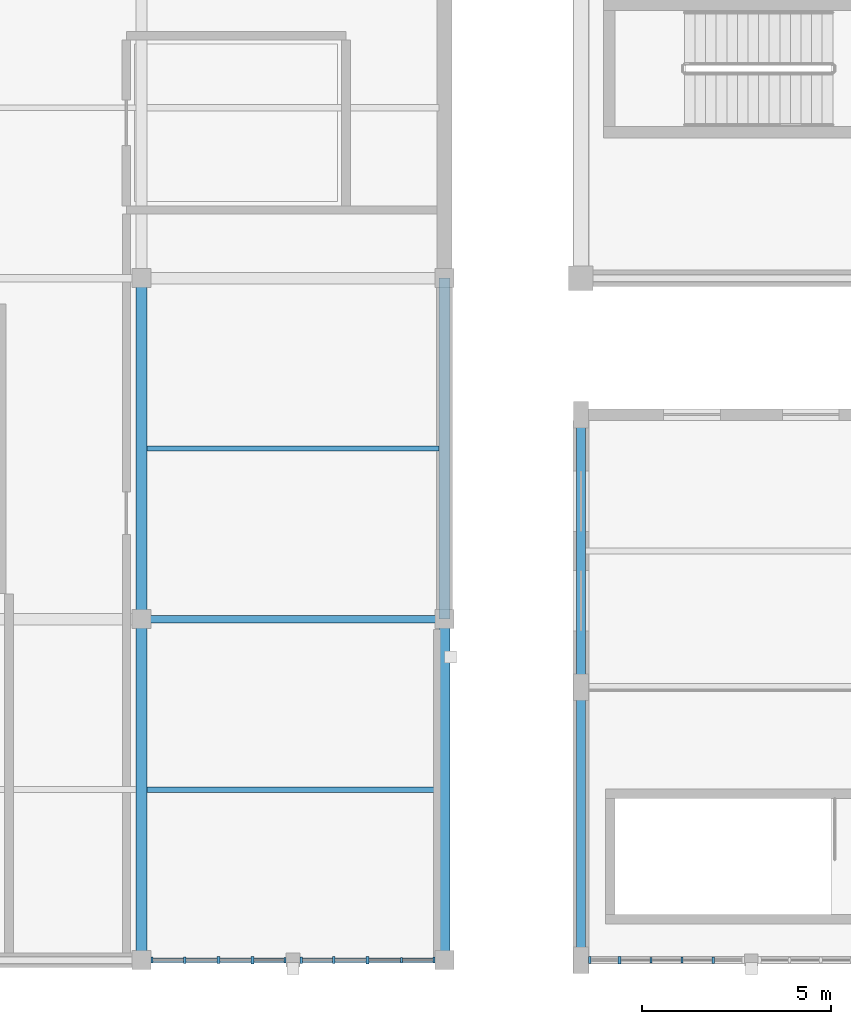
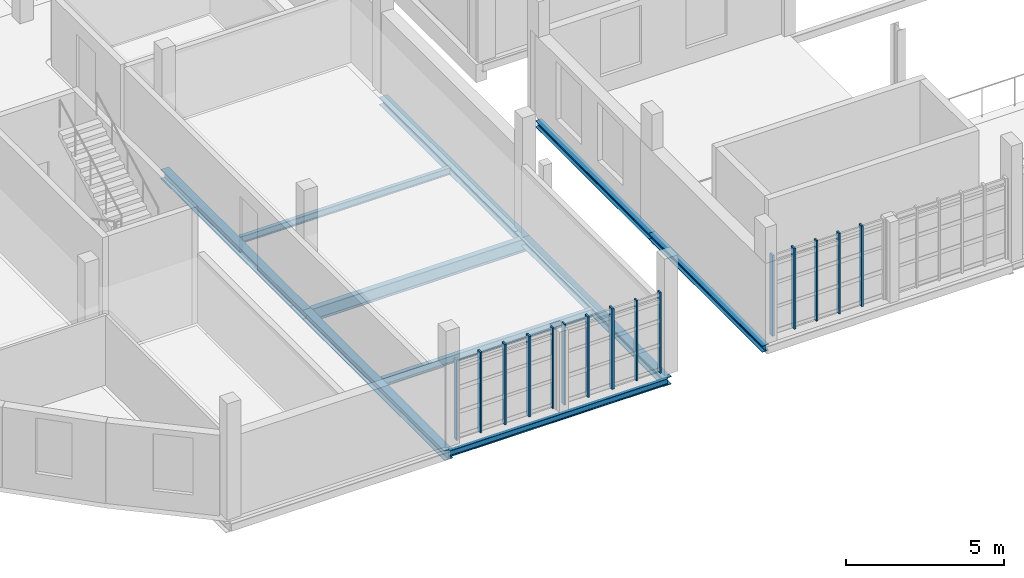
# One storey, part 14 of 125: 15 members, 10 beams, 3 elements without a shape of their own.
"""IFC4 building model written with IfcOpenShell, lengths in metres."""

from ifc_helpers import new_model, si_unit, direction, frame, origin, origin_2d, place, context, subcontext, project, spatial, rectangle, i_section, extrude, material, material_profile, profile_set, type_object, element, aggregate, save


model = new_model("IFC4")

# Units and contexts
model_context = context("Model", 3, precision=1e-05, world=origin(), true_north=direction((0.0, 1.0)))
body_context = subcontext(model_context, "Body", "Model", "MODEL_VIEW")
ifc_project = project(units=[si_unit("LENGTHUNIT", "METRE"), si_unit("AREAUNIT", "SQUARE_METRE"), si_unit("VOLUMEUNIT", "CUBIC_METRE"), si_unit("PLANEANGLEUNIT", "RADIAN"), si_unit("MASSUNIT", "GRAM", prefix="KILO")], contexts=[model_context])

# Site, building, storey
site_placement = place(None, origin())
site = spatial("IfcSite", under=ifc_project, at=site_placement, CompositionType="ELEMENT")
building_placement = place(site_placement, origin())
building = spatial("IfcBuilding", under=site, at=building_placement, Name="Serraforn Aerial Cableway Station", CompositionType="ELEMENT")
storey_placement = place(building_placement, frame((0.0, 0.0, 4.5)))
storey = spatial("IfcBuildingStorey", under=building, at=storey_placement, Name="L01", CompositionType="ELEMENT", Elevation=4.5)

# Beams
ifc_material_1 = material(Name="Steel S355JR", Category="steel")
ifc_material_profile_1 = material_profile(ifc_material_1, i_section(OverallWidth=0.239990234375, OverallDepth=0.239990234375, WebThickness=0.007568359375, FlangeThickness=0.011962890625, FilletRadius=0.02099609375, at=origin_2d()), Name="HEA 240")
ifc_profile_set_1 = profile_set([ifc_material_profile_1], Name="Steel S355JR")
beam_type_1 = type_object("IfcBeamType", Name="BM-ST-HEA240", PredefinedType="BEAM", material=ifc_profile_set_1)
for number, where, z_axis, x_axis, name in (
    (1, (27.60009765625, 0.0, -0.43994140625), (0.0, 1.0, 0.0), (-1.0, 0.0, 0.0), "Grid Girder Y CF L01 X1-1"),
    (2, (27.60009765625, 7.199951171875, -0.43994140625), (0.0, 1.0, 0.0), (-1.0, 0.0, 0.0), "Grid Girder Y CF L01 X1-2"),
):
    element("IfcBeam", number, at=place(storey_placement, frame(where, z_axis=z_axis, x_axis=x_axis)), inside=storey, type_object=beam_type_1, Name=name, PredefinedType="BEAM", context=body_context, shape_type="SweptSolid", body=[
        extrude(i_section(OverallWidth=0.239990234375, OverallDepth=0.239990234375, WebThickness=0.007568359375, FlangeThickness=0.011962890625, FilletRadius=0.02099609375, at=origin_2d()), origin(), (0.0, 0.0, 1.0), 7.199951171875),
    ])
ifc_material_profile_2 = material_profile(ifc_material_1, i_section(OverallWidth=0.300048828125, OverallDepth=0.360107421875, WebThickness=0.010009765625, FlangeThickness=0.017578125, FilletRadius=0.027099609375, at=origin_2d()), Name="HEA 360")
ifc_profile_set_2 = profile_set([ifc_material_profile_2], Name="Steel S355JR")
beam_type_2 = type_object("IfcBeamType", Name="BM-ST-HEA360", PredefinedType="BEAM", material=ifc_profile_set_2)
for number, where, z_axis, x_axis, name in (
    (3, (16.0, 0.0, -0.5), (0.0, 1.0, 0.0), (-1.0, 0.0, 0.0), "Grid Girder Y W L01 X3-1"),
    (4, (16.0, 9.0, -0.5), (0.0, 1.0, 0.0), (-1.0, 0.0, 0.0), "Grid Girder Y W L01 X3-2"),
):
    element("IfcBeam", number, at=place(storey_placement, frame(where, z_axis=z_axis, x_axis=x_axis)), inside=storey, type_object=beam_type_2, Name=name, PredefinedType="BEAM", context=body_context, shape_type="SweptSolid", body=[
        extrude(i_section(OverallWidth=0.300048828125, OverallDepth=0.360107421875, WebThickness=0.010009765625, FlangeThickness=0.017578125, FilletRadius=0.027099609375, at=origin_2d()), origin(), (0.0, 0.0, 1.0), 9.0),
    ])
ifc_material_2 = material(Name="Steel S355J2", Category="steel")
ifc_material_profile_3 = material_profile(ifc_material_2, i_section(OverallWidth=0.300048828125, OverallDepth=0.300048828125, WebThickness=0.010986328125, FlangeThickness=0.01904296875, FilletRadius=0.027099609375, at=origin_2d()), Name="HEB 300")
ifc_profile_set_3 = profile_set([ifc_material_profile_3], Name="Steel S355J2")
beam_type_3 = type_object("IfcBeamType", Name="BM-ST-HEB300", PredefinedType="BEAM", material=ifc_profile_set_3)
for number, where, z_axis, x_axis, name in (
    (5, (24.0, 0.0, -0.469970703125), (0.0, 1.0, 0.0), (-1.0, 0.0, 0.0), "Grid Girder Y W L01 X4-1"),
    (6, (24.0, 9.0, -0.469970703125), (0.0, 1.0, 0.0), (-1.0, 0.0, 0.0), "Grid Girder Y W L01 X4-2"),
):
    element("IfcBeam", number, at=place(storey_placement, frame(where, z_axis=z_axis, x_axis=x_axis)), inside=storey, type_object=beam_type_3, Name=name, PredefinedType="BEAM", context=body_context, shape_type="SweptSolid", body=[
        extrude(i_section(OverallWidth=0.300048828125, OverallDepth=0.300048828125, WebThickness=0.010986328125, FlangeThickness=0.01904296875, FilletRadius=0.027099609375, at=origin_2d()), origin(), (0.0, 0.0, 1.0), 9.0),
    ])
ifc_material_profile_4 = material_profile(ifc_material_1, i_section(OverallWidth=0.1201171875, OverallDepth=0.239990234375, WebThickness=0.006103515625, FlangeThickness=0.009765625, FilletRadius=0.014892578125, at=origin_2d()), Name="IPE 240")
ifc_profile_set_4 = profile_set([ifc_material_profile_4], Name="Steel S355JR")
beam_type_4 = type_object("IfcBeamType", Name="BM-ST-IPE240", PredefinedType="SPANDREL", material=ifc_profile_set_4)
beam_1_placement = place(storey_placement, frame((16.0, 0.0, -0.43994140625), z_axis=(1.0, 0.0, 0.0), x_axis=(0.0, 1.0, 0.0)))
element("IfcBeam", 7, at=beam_1_placement, inside=storey, type_object=beam_type_4, Name="Grid Girder X W L01 Y1-2", PredefinedType="SPANDREL", context=body_context, shape_type="SweptSolid", body=[
    extrude(i_section(OverallWidth=0.1201171875, OverallDepth=0.239990234375, WebThickness=0.006103515625, FlangeThickness=0.009765625, FilletRadius=0.014892578125, at=origin_2d()), origin(), (0.0, 0.0, 1.0), 8.0),
])
ifc_material_profile_5 = material_profile(ifc_material_1, i_section(OverallWidth=0.135009765625, OverallDepth=0.27001953125, WebThickness=0.006591796875, FlangeThickness=0.01025390625, FilletRadius=0.014892578125, at=origin_2d()), Name="IPE 270")
ifc_profile_set_5 = profile_set([ifc_material_profile_5], Name="Steel S355JR")
beam_type_5 = type_object("IfcBeamType", Name="BM-ST-IPE270", PredefinedType="JOIST", material=ifc_profile_set_5)
beam_2_placement = place(storey_placement, frame((16.14990234375, 13.5, -0.409912109375), z_axis=(1.0, 0.0, 0.0), x_axis=(0.0, 1.0, 0.0)))
element("IfcBeam", 8, at=beam_2_placement, inside=storey, type_object=beam_type_5, Name="Floor Joist W-L01-3-2-1", PredefinedType="JOIST", context=body_context, shape_type="SweptSolid", body=[
    extrude(i_section(OverallWidth=0.135009765625, OverallDepth=0.27001953125, WebThickness=0.006591796875, FlangeThickness=0.01025390625, FilletRadius=0.014892578125, at=origin_2d()), origin(), (0.0, 0.0, 1.0), 7.7001953125),
])
ifc_material_profile_6 = material_profile(ifc_material_1, i_section(OverallWidth=0.14990234375, OverallDepth=0.300048828125, WebThickness=0.007080078125, FlangeThickness=0.0107421875, FilletRadius=0.014892578125, at=origin_2d()), Name="IPE 300")
ifc_profile_set_6 = profile_set([ifc_material_profile_6], Name="Steel S355JR")
beam_type_6 = type_object("IfcBeamType", Name="BM-ST-IPE300", PredefinedType="JOIST", material=ifc_profile_set_6)
beam_3_placement = place(storey_placement, frame((16.14990234375, 4.5, -0.445068359375), z_axis=(1.0, 0.0, 0.0), x_axis=(0.0, 1.0, 0.0)))
element("IfcBeam", 9, at=beam_3_placement, inside=storey, type_object=beam_type_6, Name="Floor Joist W-L01-3-1-1", PredefinedType="JOIST", context=body_context, shape_type="SweptSolid", body=[
    extrude(i_section(OverallWidth=0.14990234375, OverallDepth=0.300048828125, WebThickness=0.007080078125, FlangeThickness=0.0107421875, FilletRadius=0.014892578125, at=origin_2d()), origin(), (0.0, 0.0, 1.0), 7.7001953125),
])
ifc_material_profile_7 = material_profile(ifc_material_1, i_section(OverallWidth=0.199951171875, OverallDepth=0.5, WebThickness=0.01025390625, FlangeThickness=0.01611328125, FilletRadius=0.02099609375, at=origin_2d()), Name="IPE 500")
ifc_profile_set_7 = profile_set([ifc_material_profile_7], Name="Steel S355JR")
beam_type_7 = type_object("IfcBeamType", Name="BM-ST-IPE500", PredefinedType="USERDEFINED", material=ifc_profile_set_7)
beam_4_placement = place(storey_placement, frame((16.0, 9.0, -0.570068359375), z_axis=(1.0, 0.0, 0.0), x_axis=(0.0, 1.0, 0.0)))
element("IfcBeam", 10, at=beam_4_placement, inside=storey, type_object=beam_type_7, Name="Grid Girder X W L01 Y2-3", ObjectType="GIRDER", PredefinedType="USERDEFINED", context=body_context, shape_type="SweptSolid", body=[
    extrude(i_section(OverallWidth=0.199951171875, OverallDepth=0.5, WebThickness=0.01025390625, FlangeThickness=0.01611328125, FilletRadius=0.02099609375, at=origin_2d()), origin(), (0.0, 0.0, 1.0), 8.0),
])

# Curtain wall, member
ifc_material_3 = material(Name="Anodised bronze unitised curtain wall")
curtain_wall_type_1 = type_object("IfcCurtainWallType", Name="CW-SYS-11", PredefinedType="USERDEFINED", material=ifc_material_3)
curtain_wall_1_placement = place(storey_placement, origin())
curtain_wall_1 = element("IfcCurtainWall", 11, at=curtain_wall_1_placement, inside=storey, type_object=curtain_wall_type_1, Name="Unitised Curtain Wall CW-W-L01-S3A", ObjectType="UNITISED CURTAIN WALL", PredefinedType="USERDEFINED")
ifc_material_4 = material(Name="Anodised bronze extruded aluminium", Category="aluminium")
ifc_material_profile_8 = material_profile(ifc_material_4, rectangle(XDim=0.054931640625, YDim=0.139892578125, at=origin_2d()), Name="CW MULLION 55x140")
ifc_profile_set_8 = profile_set([ifc_material_profile_8], Name="Anodised bronze extruded aluminium")
member_type_1 = type_object("IfcMemberType", Name="CW-MUL-1", PredefinedType="MULLION", material=ifc_profile_set_8)
member_1_placement = place(storey_placement, frame((19.79248046875, 0.0, 0.0), z_axis=(0.0, 0.0, 1.0), x_axis=(1.0, 0.0, 0.0)))
member_1 = element("IfcMember", 12, at=member_1_placement, type_object=member_type_1, Name="Curtain Wall Mullion CW-W-L01-S3A-M5", PredefinedType="MULLION", context=body_context, shape_type="SweptSolid", body=[
    extrude(rectangle(XDim=0.054931640625, YDim=0.139892578125, at=origin_2d()), origin(), (0.0, 0.0, 1.0), 3.1201171875),
])

curtain_wall_type_2 = type_object("IfcCurtainWallType", Name="CW-SYS-12", PredefinedType="USERDEFINED", material=ifc_material_3)
curtain_wall_2_placement = place(storey_placement, origin())
curtain_wall_2 = element("IfcCurtainWall", 13, at=curtain_wall_2_placement, inside=storey, type_object=curtain_wall_type_2, Name="Unitised Curtain Wall CW-W-L01-S3B", ObjectType="UNITISED CURTAIN WALL", PredefinedType="USERDEFINED")
member_2_placement = place(storey_placement, frame((22.85888671875, 0.0, 0.0), z_axis=(0.0, 0.0, 1.0), x_axis=(1.0, 0.0, 0.0)))
member_2 = element("IfcMember", 14, at=member_2_placement, type_object=member_type_1, Name="Curtain Wall Mullion CW-W-L01-S3B-M4", PredefinedType="MULLION", context=body_context, shape_type="SweptSolid", body=[
    extrude(rectangle(XDim=0.054931640625, YDim=0.139892578125, at=origin_2d()), origin(), (0.0, 0.0, 1.0), 3.1201171875),
])

curtain_wall_type_3 = type_object("IfcCurtainWallType", Name="CW-SYS-25", PredefinedType="USERDEFINED", material=ifc_material_3)
curtain_wall_3_placement = place(storey_placement, origin())
curtain_wall_3 = element("IfcCurtainWall", 15, at=curtain_wall_3_placement, inside=storey, type_object=curtain_wall_type_3, Name="Unitised Curtain Wall CW-CF-L01-S1A", ObjectType="UNITISED CURTAIN WALL", PredefinedType="USERDEFINED")
member_3_placement = place(storey_placement, frame((29.44677734375, 0.0, 0.0), z_axis=(0.0, 0.0, 1.0), x_axis=(1.0, 0.0, 0.0)))
member_3 = element("IfcMember", 16, at=member_3_placement, type_object=member_type_1, Name="Curtain Wall Mullion CW-CF-L01-S1A-M3", PredefinedType="MULLION", context=body_context, shape_type="SweptSolid", body=[
    extrude(rectangle(XDim=0.054931640625, YDim=0.139892578125, at=origin_2d()), origin(), (0.0, 0.0, 1.0), 3.1201171875),
])

# Member
ifc_material_profile_9 = material_profile(ifc_material_4, rectangle(XDim=0.06005859375, YDim=0.159912109375, at=origin_2d()), Name="CW MULLION 60x160")
ifc_profile_set_9 = profile_set([ifc_material_profile_9], Name="Anodised bronze extruded aluminium")
member_type_2 = type_object("IfcMemberType", Name="CW-MUL-2", PredefinedType="MULLION", material=ifc_profile_set_9)
member_4_placement = place(storey_placement, frame((16.278076171875, 0.0, 0.0), z_axis=(0.0, 0.0, 1.0), x_axis=(1.0, 0.0, 0.0)))
member_4 = element("IfcMember", 17, at=member_4_placement, type_object=member_type_2, Name="Curtain Wall Mullion CW-W-L01-S3A-M1", PredefinedType="MULLION", context=body_context, shape_type="SweptSolid", body=[
    extrude(rectangle(XDim=0.06005859375, YDim=0.159912109375, at=origin_2d()), origin(), (0.0, 0.0, 1.0), 3.1201171875),
])

member_5_placement = place(storey_placement, frame((23.721923828125, 0.0, 0.0), z_axis=(0.0, 0.0, 1.0), x_axis=(1.0, 0.0, 0.0)))
member_5 = element("IfcMember", 18, at=member_5_placement, type_object=member_type_2, Name="Curtain Wall Mullion CW-W-L01-S3B-M5", PredefinedType="MULLION", context=body_context, shape_type="SweptSolid", body=[
    extrude(rectangle(XDim=0.06005859375, YDim=0.159912109375, at=origin_2d()), origin(), (0.0, 0.0, 1.0), 3.1201171875),
])

member_6_placement = place(storey_placement, frame((30.271240234375, 0.0, 0.0), z_axis=(0.0, 0.0, 1.0), x_axis=(1.0, 0.0, 0.0)))
member_6 = element("IfcMember", 19, at=member_6_placement, type_object=member_type_2, Name="Curtain Wall Mullion CW-CF-L01-S1A-M4", PredefinedType="MULLION", context=body_context, shape_type="SweptSolid", body=[
    extrude(rectangle(XDim=0.06005859375, YDim=0.159912109375, at=origin_2d()), origin(), (0.0, 0.0, 1.0), 3.1201171875),
])

ifc_material_profile_10 = material_profile(ifc_material_4, rectangle(XDim=0.06494140625, YDim=0.175048828125, at=origin_2d()), Name="CW MULLION 65x175")
ifc_profile_set_10 = profile_set([ifc_material_profile_10], Name="Anodised bronze extruded aluminium")
member_type_3 = type_object("IfcMemberType", Name="CW-MUL-3", PredefinedType="MULLION", material=ifc_profile_set_10)
member_7_placement = place(storey_placement, frame((17.14111328125, 0.0, 0.0), z_axis=(0.0, 0.0, 1.0), x_axis=(1.0, 0.0, 0.0)))
member_7 = element("IfcMember", 20, at=member_7_placement, type_object=member_type_3, Name="Curtain Wall Mullion CW-W-L01-S3A-M2", PredefinedType="MULLION", context=body_context, shape_type="SweptSolid", body=[
    extrude(rectangle(XDim=0.06494140625, YDim=0.175048828125, at=origin_2d()), origin(), (0.0, 0.0, 1.0), 3.1201171875),
])

member_8_placement = place(storey_placement, frame((20.21240234375, 0.0, 0.0), z_axis=(0.0, 0.0, 1.0), x_axis=(1.0, 0.0, 0.0)))
member_8 = element("IfcMember", 21, at=member_8_placement, type_object=member_type_3, Name="Curtain Wall Mullion CW-W-L01-S3B-M1", PredefinedType="MULLION", context=body_context, shape_type="SweptSolid", body=[
    extrude(rectangle(XDim=0.06494140625, YDim=0.175048828125, at=origin_2d()), origin(), (0.0, 0.0, 1.0), 3.1201171875),
])

member_9_placement = place(storey_placement, frame((31.095703125, 0.0, 0.0), z_axis=(0.0, 0.0, 1.0), x_axis=(1.0, 0.0, 0.0)))
member_9 = element("IfcMember", 22, at=member_9_placement, type_object=member_type_3, Name="Curtain Wall Mullion CW-CF-L01-S1A-M5", PredefinedType="MULLION", context=body_context, shape_type="SweptSolid", body=[
    extrude(rectangle(XDim=0.06494140625, YDim=0.175048828125, at=origin_2d()), origin(), (0.0, 0.0, 1.0), 3.1201171875),
])

ifc_material_profile_11 = material_profile(ifc_material_4, rectangle(XDim=0.070068359375, YDim=0.18994140625, at=origin_2d()), Name="CW MULLION 70x190")
ifc_profile_set_11 = profile_set([ifc_material_profile_11], Name="Anodised bronze extruded aluminium")
member_type_4 = type_object("IfcMemberType", Name="CW-MUL-4", PredefinedType="MULLION", material=ifc_profile_set_11)
member_10_placement = place(storey_placement, frame((18.033935546875, 0.0, 0.0), z_axis=(0.0, 0.0, 1.0), x_axis=(1.0, 0.0, 0.0)))
member_10 = element("IfcMember", 23, at=member_10_placement, type_object=member_type_4, Name="Curtain Wall Mullion CW-W-L01-S3A-M3", PredefinedType="MULLION", context=body_context, shape_type="SweptSolid", body=[
    extrude(rectangle(XDim=0.070068359375, YDim=0.18994140625, at=origin_2d()), origin(), (0.0, 0.0, 1.0), 3.1201171875),
])

member_11_placement = place(storey_placement, frame((21.072998046875, 0.0, 0.0), z_axis=(0.0, 0.0, 1.0), x_axis=(1.0, 0.0, 0.0)))
member_11 = element("IfcMember", 24, at=member_11_placement, type_object=member_type_4, Name="Curtain Wall Mullion CW-W-L01-S3B-M2", PredefinedType="MULLION", context=body_context, shape_type="SweptSolid", body=[
    extrude(rectangle(XDim=0.070068359375, YDim=0.18994140625, at=origin_2d()), origin(), (0.0, 0.0, 1.0), 3.1201171875),
])

member_12_placement = place(storey_placement, frame((27.8330078125, 0.0, 0.0), z_axis=(0.0, 0.0, 1.0), x_axis=(1.0, 0.0, 0.0)))
member_12 = element("IfcMember", 25, at=member_12_placement, type_object=member_type_4, Name="Curtain Wall Mullion CW-CF-L01-S1A-M1", PredefinedType="MULLION", context=body_context, shape_type="SweptSolid", body=[
    extrude(rectangle(XDim=0.070068359375, YDim=0.18994140625, at=origin_2d()), origin(), (0.0, 0.0, 1.0), 3.1201171875),
])

ifc_material_profile_12 = material_profile(ifc_material_4, rectangle(XDim=0.074951171875, YDim=0.199951171875, at=origin_2d()), Name="CW MULLION 75x200")
ifc_profile_set_12 = profile_set([ifc_material_profile_12], Name="Anodised bronze extruded aluminium")
member_type_5 = type_object("IfcMemberType", Name="CW-MUL-5", PredefinedType="MULLION", material=ifc_profile_set_12)
member_13_placement = place(storey_placement, frame((18.927001953125, 0.0, 0.0), z_axis=(0.0, 0.0, 1.0), x_axis=(1.0, 0.0, 0.0)))
member_13 = element("IfcMember", 26, at=member_13_placement, type_object=member_type_5, Name="Curtain Wall Mullion CW-W-L01-S3A-M4", PredefinedType="MULLION", context=body_context, shape_type="SweptSolid", body=[
    extrude(rectangle(XDim=0.074951171875, YDim=0.199951171875, at=origin_2d()), origin(), (0.0, 0.0, 1.0), 3.1201171875),
])

aggregate(curtain_wall_1, [member_4, member_7, member_10, member_13, member_1])

member_14_placement = place(storey_placement, frame((21.966064453125, 0.0, 0.0), z_axis=(0.0, 0.0, 1.0), x_axis=(1.0, 0.0, 0.0)))
member_14 = element("IfcMember", 27, at=member_14_placement, type_object=member_type_5, Name="Curtain Wall Mullion CW-W-L01-S3B-M3", PredefinedType="MULLION", context=body_context, shape_type="SweptSolid", body=[
    extrude(rectangle(XDim=0.074951171875, YDim=0.199951171875, at=origin_2d()), origin(), (0.0, 0.0, 1.0), 3.1201171875),
])

aggregate(curtain_wall_2, [member_8, member_11, member_14, member_2, member_5])

member_15_placement = place(storey_placement, frame((28.622314453125, 0.0, 0.0), z_axis=(0.0, 0.0, 1.0), x_axis=(1.0, 0.0, 0.0)))
member_15 = element("IfcMember", 28, at=member_15_placement, type_object=member_type_5, Name="Curtain Wall Mullion CW-CF-L01-S1A-M2", PredefinedType="MULLION", context=body_context, shape_type="SweptSolid", body=[
    extrude(rectangle(XDim=0.074951171875, YDim=0.199951171875, at=origin_2d()), origin(), (0.0, 0.0, 1.0), 3.1201171875),
])

aggregate(curtain_wall_3, [member_12, member_15, member_3, member_6, member_9])

save(model, "model.ifc")
